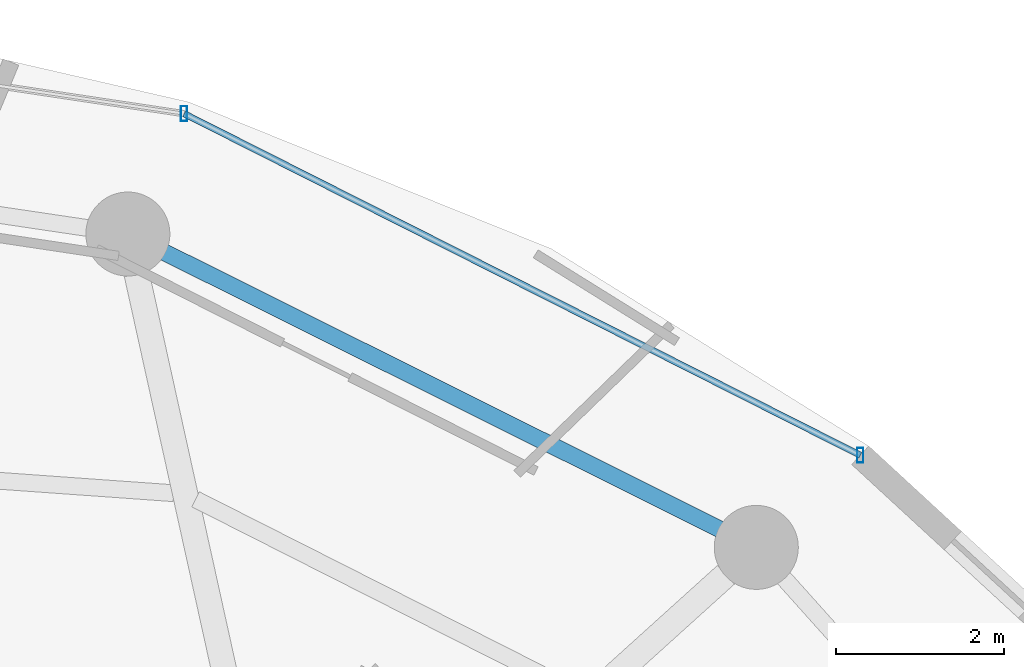
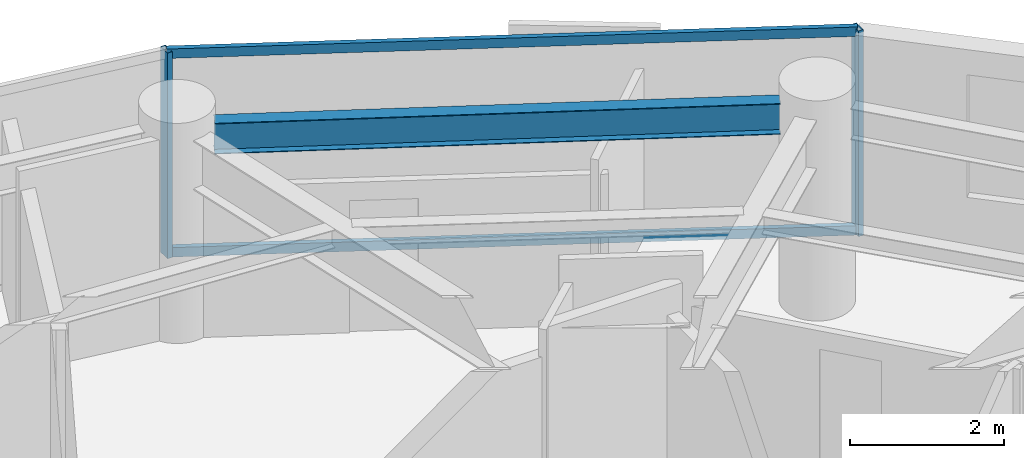
# One storey, part 19 of 29: 4 members, 1 beam, 1 element without a shape of its own.
"""IFC4 building model written with IfcOpenShell, lengths in metres."""

import ifcopenshell
import ifcopenshell.guid

model = None  # the IFC model being written
_history = None  # IfcOwnerHistory: only IFC2X3 demands one
_inside = {}  # id of a spatial element -> (the spatial element, [elements in it])
_under = {}  # id of a project, library or spatial element -> (it, [spatial elements below it])
_declared = {}  # id of a project -> (the project, [libraries it declares])
_typed = {}  # id of a type object -> (the type object, [elements of that type])
_made_of = {}  # id of a material, layer set ... -> (it, [elements and type objects made of it])


def new_model(schema):
    """Start an empty IFC model of exactly this schema.

    Asked for "IFC4X3", IfcOpenShell would pick the latest addendum, in which some entities
    have other attributes; the version numbers below select the first issue.
    IFC2X3 requires an IfcOwnerHistory on every rooted entity: one is made here for all.
    """
    global model, _history
    if schema == "IFC4X3":
        model = ifcopenshell.file(schema_version=(4, 3, 0, 0))
    else:
        model = ifcopenshell.file(schema=schema)
    _inside.clear()
    _under.clear()
    _declared.clear()
    _typed.clear()
    _made_of.clear()
    _history = None
    if model.schema == "IFC2X3":
        org = make("IfcOrganization", Name="unknown")
        user = make(
            "IfcPersonAndOrganization",
            ThePerson=make("IfcPerson", FamilyName="unknown"),
            TheOrganization=org,
        )
        app = make(
            "IfcApplication",
            ApplicationDeveloper=org,
            Version="unknown",
            ApplicationFullName="unknown",
            ApplicationIdentifier="unknown",
        )
        _history = make(
            "IfcOwnerHistory",
            OwningUser=user,
            OwningApplication=app,
            ChangeAction="ADDED",
            CreationDate=0,
        )
    return model


def make(cls, **values):
    """One entity of the class cls with the attributes given. An attribute that is None is left unset."""
    return model.create_entity(
        cls, **{name: value for name, value in values.items() if value is not None}
    )


def rooted(cls, **values):
    """An entity with a GlobalId (a new one), such as an element, a storey or a relation."""
    return make(cls, GlobalId=ifcopenshell.guid.new(), OwnerHistory=_history, **values)


def si_unit(unit_type, name, prefix=None):
    """IfcSIUnit, for example si_unit("LENGTHUNIT", "METRE", prefix="MILLI")."""
    return make("IfcSIUnit", UnitType=unit_type, Prefix=prefix, Name=name)


def assignment(units):
    """IfcUnitAssignment: the units of a project."""
    return None if units is None else make("IfcUnitAssignment", Units=units)


def point(xyz):
    """IfcCartesianPoint."""
    return None if xyz is None else make("IfcCartesianPoint", Coordinates=xyz)


def direction(xyz):
    """IfcDirection."""
    return None if xyz is None else make("IfcDirection", DirectionRatios=xyz)


def frame(location, z_axis=None, x_axis=None):
    """IfcAxis2Placement3D, a coordinate frame: its origin and axes. An axis left out is left unset."""
    return make(
        "IfcAxis2Placement3D",
        Location=point(location),
        Axis=direction(z_axis),
        RefDirection=direction(x_axis),
    )


def frame_2d(location, x_axis=None):
    """IfcAxis2Placement2D, a coordinate frame in the plane: its origin and x axis."""
    return make(
        "IfcAxis2Placement2D", Location=point(location), RefDirection=direction(x_axis)
    )


def origin():
    """The frame at (0, 0, 0) with its axes left unset."""
    return frame((0.0, 0.0, 0.0))


def origin_2d():
    """The frame at (0, 0) in the plane with its x axis left unset."""
    return frame_2d((0.0, 0.0))


def place(relative_to, where):
    """IfcLocalPlacement: puts the frame where relative to a parent placement (None: the world)."""
    return make(
        "IfcLocalPlacement", PlacementRelTo=relative_to, RelativePlacement=where
    )


def context(
    kind, dimensions, precision=None, world=None, true_north=None, identifier=None
):
    """IfcGeometricRepresentationContext, for example the 3D "Model" context."""
    return make(
        "IfcGeometricRepresentationContext",
        ContextIdentifier=identifier,
        ContextType=kind,
        CoordinateSpaceDimension=dimensions,
        Precision=precision,
        WorldCoordinateSystem=world,
        TrueNorth=true_north,
    )


def subcontext(parent, identifier, kind, view, scale=None):
    """IfcGeometricRepresentationSubContext, for example "Body" below "Model"."""
    return make(
        "IfcGeometricRepresentationSubContext",
        ContextIdentifier=identifier,
        ContextType=kind,
        ParentContext=parent,
        TargetScale=scale,
        TargetView=view,
    )


def project(units=None, contexts=None):
    """IfcProject with its units and contexts."""
    return rooted(
        "IfcProject",
        Name="project",
        RepresentationContexts=contexts,
        UnitsInContext=assignment(units),
    )


def spatial(cls, under=None, at=None, **own):
    """A site, building, storey or space (cls), placed at a placement, below another one or the project."""
    s = rooted(cls, ObjectPlacement=at, **own)
    if under is not None:
        _under.setdefault(under.id(), (under, []))[1].append(s)
    return s


def profile(cls, at=None, kind="AREA", **sizes):
    """A parametric profile (cls). Its sizes go by their IFC names, for example OverallWidth=200.0."""
    return make(cls, ProfileType=kind, Position=at, **sizes)


def hollow_rectangle(**sizes):
    """IfcRectangleHollowProfileDef."""
    return profile("IfcRectangleHollowProfileDef", **sizes)


def i_section(**sizes):
    """IfcIShapeProfileDef."""
    return profile("IfcIShapeProfileDef", **sizes)


def extrude(swept, where, along, depth):
    """IfcExtrudedAreaSolid: the profile swept, set in the frame where, extruded along a direction by depth."""
    return make(
        "IfcExtrudedAreaSolid",
        SweptArea=swept,
        Position=where,
        ExtrudedDirection=direction(along),
        Depth=depth,
    )


def shape(context_of_items, identifier, shape_type, items):
    """IfcShapeRepresentation: the items that make up one representation, for example the "Body"."""
    return make(
        "IfcShapeRepresentation",
        ContextOfItems=context_of_items,
        RepresentationIdentifier=identifier,
        RepresentationType=shape_type,
        Items=items,
    )


def material(Name=None, Category=None):
    """IfcMaterial."""
    return make("IfcMaterial", Name=Name, Category=Category)


def material_profile(
    of_material, cross_section, Name=None, Category=None, Priority=None
):
    """IfcMaterialProfile: a cross section and its material."""
    return make(
        "IfcMaterialProfile",
        Name=Name,
        Material=of_material,
        Profile=cross_section,
        Priority=Priority,
        Category=Category,
    )


def profile_set(profiles, Name=None, composite=None):
    """IfcMaterialProfileSet."""
    return make(
        "IfcMaterialProfileSet",
        Name=Name,
        MaterialProfiles=profiles,
        CompositeProfile=composite,
    )


def made_of(thing, what):
    """Note that an element or type object is made of a material, layer set ...; save() writes the relation."""
    if what is not None:
        _made_of.setdefault(what.id(), (what, []))[1].append(thing)
    return thing


def type_object(cls, material=None, **own):
    """A type object (cls), such as IfcWallType, which elements share."""
    return made_of(rooted(cls, **own), material)


def element(
    cls,
    number,
    at=None,
    inside=None,
    cuts=None,
    type_object=None,
    material=None,
    context=None,
    identifier="Body",
    shape_type=None,
    held_by="IfcProductDefinitionShape",
    body=None,
    shapes=None,
    **own,
):
    """One element of the class cls, such as IfcWall. Its Tag is "e" and its number.

    at: its placement. inside: the storey or other place that contains it. cuts: it is an
    opening in that element (IfcRelVoidsElement). A single representation is given by context,
    identifier, shape_type and body (its items); several are given by shapes. held_by: the class
    of the entity that holds the representations. save() writes the other relations.
    """
    e = rooted(cls, Tag="e%d" % number, ObjectPlacement=at, **own)
    if body is not None:
        shapes = [shape(context, identifier, shape_type, body)]
    if shapes is not None:
        e.Representation = make(held_by, Representations=shapes)
    if inside is not None:
        _inside.setdefault(inside.id(), (inside, []))[1].append(e)
    if cuts is not None:
        rooted(
            "IfcRelVoidsElement", RelatingBuildingElement=cuts, RelatedOpeningElement=e
        )
    if type_object is not None:
        _typed.setdefault(type_object.id(), (type_object, []))[1].append(e)
    return made_of(e, material)


def aggregate(whole, parts):
    """IfcRelAggregates: a whole, such as a stair, and the parts it consists of."""
    return rooted("IfcRelAggregates", RelatingObject=whole, RelatedObjects=parts)


def save(model, path):
    """Write the relations noted so far, then the file.

    IfcRelAggregates (storeys below a building ...), IfcRelContainedInSpatialStructure (elements
    in a storey), IfcRelDefinesByType, IfcRelAssociatesMaterial and IfcRelDeclares: one each for
    every whole, place, type object, material and project.
    """
    for whole, parts in _under.values():
        aggregate(whole, parts)
    for where, things in _inside.values():
        rooted(
            "IfcRelContainedInSpatialStructure",
            RelatedElements=things,
            RelatingStructure=where,
        )
    for kind, things in _typed.values():
        rooted("IfcRelDefinesByType", RelatedObjects=things, RelatingType=kind)
    for what, things in _made_of.values():
        rooted("IfcRelAssociatesMaterial", RelatedObjects=things, RelatingMaterial=what)
    for by, libraries in _declared.values():
        rooted("IfcRelDeclares", RelatingContext=by, RelatedDefinitions=libraries)
    model.write(path)


model = new_model("IFC4")

# Units and contexts
model_context = context("Model", 3, precision=1e-05, world=origin(), true_north=direction((0.0, 1.0)))
body_context = subcontext(model_context, "Body", "Model", "MODEL_VIEW")
ifc_project = project(units=[si_unit("LENGTHUNIT", "METRE"), si_unit("AREAUNIT", "SQUARE_METRE"), si_unit("VOLUMEUNIT", "CUBIC_METRE"), si_unit("PLANEANGLEUNIT", "RADIAN"), si_unit("MASSUNIT", "GRAM", prefix="KILO")], contexts=[model_context])

# Site, building, storey
site_placement = place(None, origin())
site = spatial("IfcSite", under=ifc_project, at=site_placement, CompositionType="ELEMENT")
building_placement = place(site_placement, origin())
building = spatial("IfcBuilding", under=site, at=building_placement, Name="Vorneva Point Tower", CompositionType="ELEMENT")
storey_placement = place(building_placement, frame((0.0, 0.0, 171.10009765625)))
storey = spatial("IfcBuildingStorey", under=building, at=storey_placement, Name="L46", CompositionType="ELEMENT", Elevation=171.10009765625)

# Beam
ifc_material_1 = material(Name="Steel S355", Category="steel")
ifc_material_profile_1 = material_profile(ifc_material_1, i_section(OverallWidth=0.199951171875, OverallDepth=0.491943359375, WebThickness=0.0087890625, FlangeThickness=0.011962890625, at=origin_2d()), Name="50B1")
ifc_profile_set_1 = profile_set([ifc_material_profile_1], Name="Steel S355")
beam_type = type_object("IfcBeamType", Name="BM-SPN-50B1", PredefinedType="SPANDREL", material=ifc_profile_set_1)
beam_placement = place(storey_placement, frame((53.86474609375, 38.378662109375, 2.953857421875), z_axis=(-0.894929061397, 0.446208443518, 0.0), x_axis=(-0.446208443518, -0.894929061397, 0.0)))
element("IfcBeam", 1, at=beam_placement, inside=storey, type_object=beam_type, Name="L46 Perimeter Spandrel Ring Beam 03", PredefinedType="SPANDREL", context=body_context, shape_type="SweptSolid", body=[
    extrude(i_section(OverallWidth=0.199951171875, OverallDepth=0.491943359375, WebThickness=0.0087890625, FlangeThickness=0.011962890625, at=origin_2d()), origin(), (0.0, 0.0, 1.0), 7.385986328125),
])

# Curtain wall, members
ifc_material_2 = material(Name="Pale anodised aluminium", Category="aluminium")
curtain_wall_type = type_object("IfcCurtainWallType", Name="CW-RES-SYS", PredefinedType="NOTDEFINED", material=ifc_material_2)
curtain_wall_placement = place(storey_placement, origin())
curtain_wall = element("IfcCurtainWall", 2, at=curtain_wall_placement, inside=storey, type_object=curtain_wall_type, Name="L46 Unitised Curtain Wall CW-L46-R02", PredefinedType="NOTDEFINED")
ifc_material_profile_2 = material_profile(ifc_material_2, hollow_rectangle(XDim=0.074951171875, YDim=0.179931640625, WallThickness=0.00390625, at=origin_2d()), Name="AL-MUL 180x75x4")
ifc_profile_set_2 = profile_set([ifc_material_profile_2], Name="Pale anodised aluminium")
member_type_1 = type_object("IfcMemberType", Name="CW-MUL-180", PredefinedType="MULLION", material=ifc_profile_set_2)
member_1_placement = place(storey_placement, frame((55.5361328125, 39.25830078125, -0.0400390625), z_axis=(0.0, 0.0, 1.0), x_axis=(1.0, 0.0, 0.0)))
member_1 = element("IfcMember", 3, at=member_1_placement, type_object=member_type_1, Name="CW-L46-R02 Mullion 01", PredefinedType="MULLION", context=body_context, shape_type="SweptSolid", body=[
    extrude(hollow_rectangle(XDim=0.074951171875, YDim=0.179931640625, WallThickness=0.00390625, at=origin_2d()), origin(), (0.0, 0.0, 1.0), 3.27001953125),
])
member_2_placement = place(storey_placement, frame((47.490478515625, 43.32275390625, -0.0400390625), z_axis=(0.0, 0.0, 1.0), x_axis=(1.0, 0.0, 0.0)))
member_2 = element("IfcMember", 4, at=member_2_placement, type_object=member_type_1, Name="CW-L46-R02 Mullion 02", PredefinedType="MULLION", context=body_context, shape_type="SweptSolid", body=[
    extrude(hollow_rectangle(XDim=0.074951171875, YDim=0.179931640625, WallThickness=0.00390625, at=origin_2d()), origin(), (0.0, 0.0, 1.0), 3.27001953125),
])
ifc_material_profile_3 = material_profile(ifc_material_2, hollow_rectangle(XDim=0.074951171875, YDim=0.14990234375, WallThickness=0.00390625, at=origin_2d()), Name="AL-TRN 150x75x4")
ifc_profile_set_3 = profile_set([ifc_material_profile_3], Name="Pale anodised aluminium")
member_type_2 = type_object("IfcMemberType", Name="CW-TRN-150", PredefinedType="USERDEFINED", material=ifc_profile_set_3)
member_3_placement = place(storey_placement, frame((55.5361328125, 39.25830078125, 0.02001953125), z_axis=(-0.892572392955, 0.450904117673, 0.0), x_axis=(-0.450904117673, -0.892572392955, 0.0)))
member_3 = element("IfcMember", 5, at=member_3_placement, type_object=member_type_2, Name="CW-L46-R02 Transom 01.1", ObjectType="TRANSOM", PredefinedType="USERDEFINED", context=body_context, shape_type="SweptSolid", body=[
    extrude(hollow_rectangle(XDim=0.074951171875, YDim=0.14990234375, WallThickness=0.00390625, at=origin_2d()), origin(), (0.0, 0.0, 1.0), 9.013916015625),
])
member_4_placement = place(storey_placement, frame((55.5361328125, 39.25830078125, 3.179931640625), z_axis=(-0.892572392955, 0.450904117673, 0.0), x_axis=(-0.450904117673, -0.892572392955, 0.0)))
member_4 = element("IfcMember", 6, at=member_4_placement, type_object=member_type_2, Name="CW-L46-R02 Transom 01.2", ObjectType="TRANSOM", PredefinedType="USERDEFINED", context=body_context, shape_type="SweptSolid", body=[
    extrude(hollow_rectangle(XDim=0.074951171875, YDim=0.14990234375, WallThickness=0.00390625, at=origin_2d()), origin(), (0.0, 0.0, 1.0), 9.013916015625),
])
aggregate(curtain_wall, [member_1, member_2, member_3, member_4])

save(model, "model.ifc")
